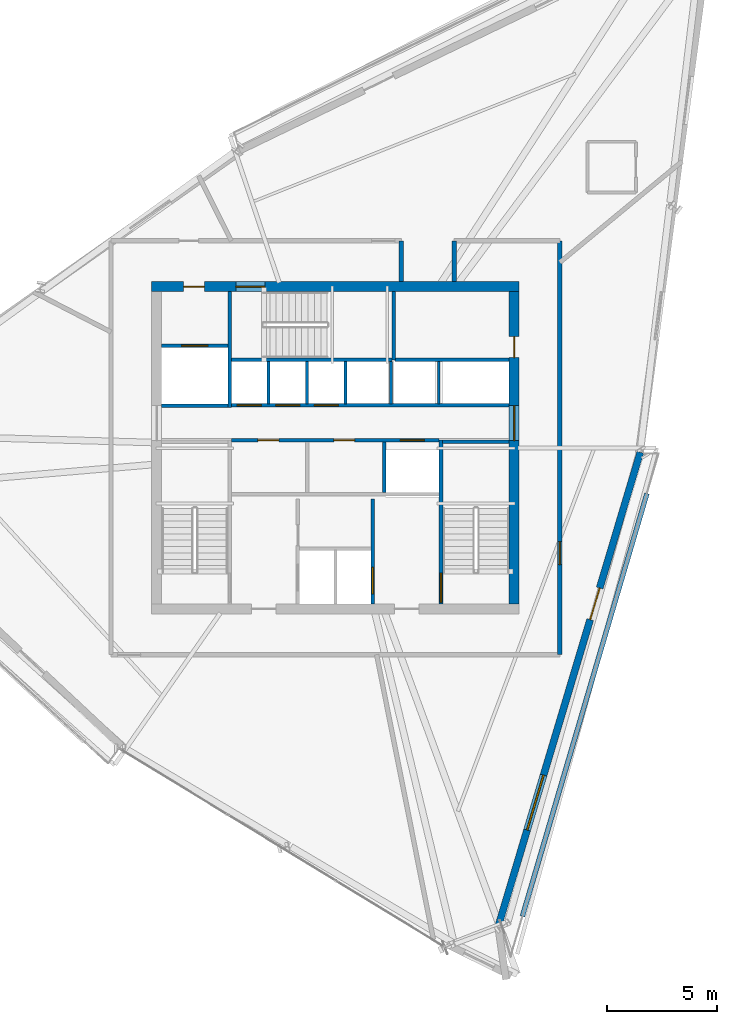
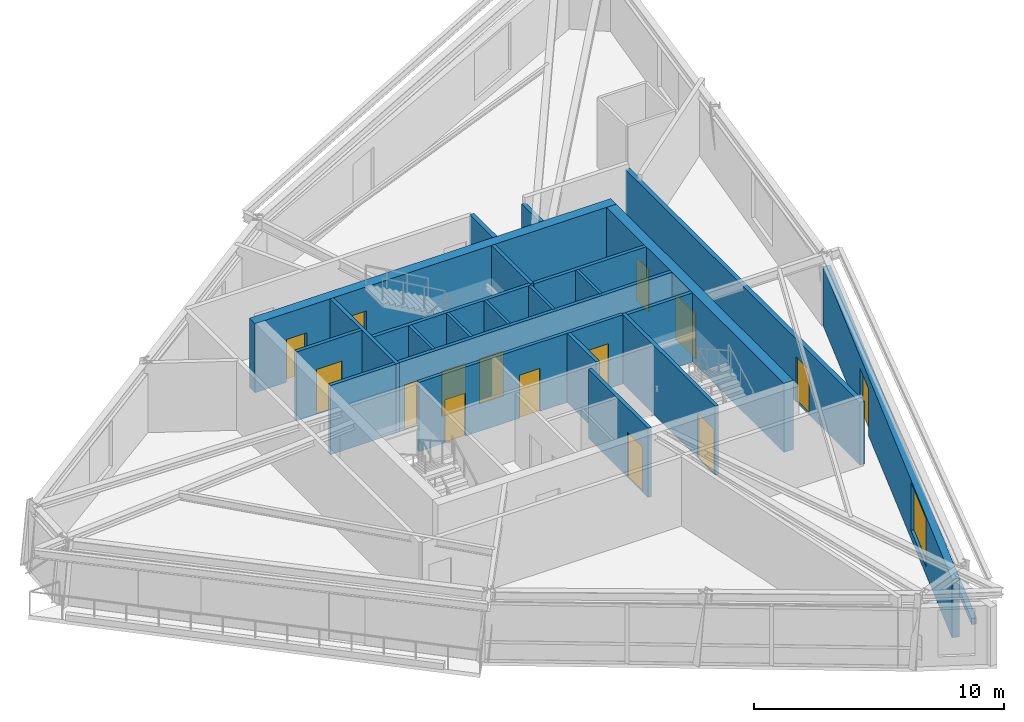
# One storey, part 10 of 14: 24 walls, 15 doors, 1 window, 16 openings.
"""IFC4 building model written with IfcOpenShell, lengths in metres."""

from ifc_helpers import new_model, si_unit, direction, frame, frame_2d, origin, place, context, subcontext, project, spatial, rectangle, extrude, source, transform, mapped, material, layer, layer_set, type_object, type_shapes, element, fill, save


model = new_model("IFC4")

# Units and contexts
model_context = context("Model", 3, precision=1e-05, world=origin(), true_north=direction((0.0, 1.0)))
body_context = subcontext(model_context, "Body", "Model", "MODEL_VIEW")
ifc_project = project(units=[si_unit("LENGTHUNIT", "METRE"), si_unit("AREAUNIT", "SQUARE_METRE"), si_unit("VOLUMEUNIT", "CUBIC_METRE"), si_unit("PLANEANGLEUNIT", "RADIAN"), si_unit("MASSUNIT", "GRAM", prefix="KILO")], contexts=[model_context])

# Site, building, storey
site_placement = place(None, origin())
site = spatial("IfcSite", under=ifc_project, at=site_placement, CompositionType="ELEMENT")
building_placement = place(site_placement, origin())
building = spatial("IfcBuilding", under=site, at=building_placement, Name="Olszyna Solenne Hotel", CompositionType="ELEMENT")
storey_placement = place(building_placement, frame((0.0, 0.0, 256.10009765625)))
storey = spatial("IfcBuildingStorey", under=building, at=storey_placement, Name="L68", CompositionType="ELEMENT", Elevation=256.10009765625)

# Wall, openings, doors
ifc_material_1 = material(Name="Concrete C50/60", Category="concrete")
ifc_layer_1 = layer(ifc_material_1, 0.449951171875, Name="Concrete C50/60")
ifc_layer_set_1 = layer_set([ifc_layer_1], Name="Concrete C50/60")
wall_type_1 = type_object("IfcWallType", Name="WL-CR450", PredefinedType="SHEAR", material=ifc_layer_set_1)
wall_1_placement = place(storey_placement, frame((29.64990234375, 33.925048828125, 0.0), z_axis=(0.0, 0.0, 1.0), x_axis=(1.0, 0.0, 0.0)))
wall_1 = element("IfcWall", 1, at=wall_1_placement, inside=storey, type_object=wall_type_1, Name="Core shear wall WL-CR450 CRW-L68-N", PredefinedType="SHEAR", context=body_context, shape_type="SweptSolid", body=[
    extrude(rectangle(XDim=16.7001953125, YDim=0.449951171875, at=frame_2d((8.35009765625, 0.0))), origin(), (0.0, 0.0, 1.0), 3.3798828125),
])
opening_1_placement = place(wall_1_placement, frame((1.449951171875, 0.0, 0.0)))
opening_1 = element("IfcOpeningElement", 2, at=opening_1_placement, cuts=wall_1, Name="Opening SVD-L68-01", PredefinedType="OPENING", context=body_context, shape_type="SweptSolid", body=[
    extrude(rectangle(XDim=0.949951171875, YDim=2.10009765625, at=frame_2d((0.47509765625, 1.050048828125))), frame((0.0, 0.23486328125, 0.0), z_axis=(0.0, -1.0, 0.0), x_axis=(1.0, 0.0, 0.0)), (0.0, 0.0, 1.0), 0.469970703125),
])
opening_2_placement = place(wall_1_placement, frame((3.830078125, 0.0, 0.0)))
opening_2 = element("IfcOpeningElement", 3, at=opening_2_placement, cuts=wall_1, Name="Opening STD-L68-03", PredefinedType="OPENING", context=body_context, shape_type="SweptSolid", body=[
    extrude(rectangle(XDim=1.320068359375, YDim=2.199951171875, at=frame_2d((0.66015625, 1.10009765625))), frame((0.0, 0.23486328125, 0.0), z_axis=(0.0, -1.0, 0.0), x_axis=(1.0, 0.0, 0.0)), (0.0, 0.0, 1.0), 0.469970703125),
])
ifc_material_2 = material(Name="Steel S355J2", Category="steel")
door_type_1 = type_object("IfcDoorType", Name="DR-ST1", OperationType="NOTDEFINED", PredefinedType="DOOR", material=ifc_material_2)
shared_shape_1 = source(origin(), body_context, "Body", "SweptSolid", [
    extrude(rectangle(XDim=1.320068359375, YDim=2.199951171875, at=frame_2d((0.66015625, 1.10009765625))), frame((0.0, 0.02490234375, 0.0), z_axis=(0.0, -1.0, 0.0), x_axis=(1.0, 0.0, 0.0)), (0.0, 0.0, 1.0), 0.050048828125),
])
type_shapes(door_type_1, [shared_shape_1])
door_1_placement = place(opening_2_placement, origin())
door_1 = element("IfcDoor", 4, at=door_1_placement, inside=storey, type_object=door_type_1, Name="Pressurised exit stair ST3 fire door STD-L68-03", OperationType="SINGLE_SWING_RIGHT", OverallHeight=2.199951171875, OverallWidth=1.320068359375, PredefinedType="DOOR", context=body_context, shape_type="MappedRepresentation", body=[
    mapped(shared_shape_1, transform((0.0, 0.0, 0.0), x_axis=(1.0, 0.0, 0.0), y_axis=(0.0, 1.0, 0.0), z_axis=(0.0, 0.0, 1.0), scale=1.0)),
])
fill(opening_2, door_1)
door_type_2 = type_object("IfcDoorType", Name="DR-SV1", OperationType="NOTDEFINED", PredefinedType="DOOR", material=ifc_material_2)
shared_shape_2 = source(origin(), body_context, "Body", "SweptSolid", [
    extrude(rectangle(XDim=0.949951171875, YDim=2.10009765625, at=frame_2d((0.47509765625, 1.050048828125))), frame((0.0, 0.02490234375, 0.0), z_axis=(0.0, -1.0, 0.0), x_axis=(1.0, 0.0, 0.0)), (0.0, 0.0, 1.0), 0.050048828125),
])
type_shapes(door_type_2, [shared_shape_2])
door_2_placement = place(opening_1_placement, origin())
door_2 = element("IfcDoor", 5, at=door_2_placement, inside=storey, type_object=door_type_2, Name="Service lift lobby fire door SVD-L68-01", OperationType="SINGLE_SWING_LEFT", OverallHeight=2.10009765625, OverallWidth=0.949951171875, PredefinedType="DOOR", context=body_context, shape_type="MappedRepresentation", body=[
    mapped(shared_shape_2, transform((0.0, 0.0, 0.0), x_axis=(1.0, 0.0, 0.0), y_axis=(0.0, 1.0, 0.0), z_axis=(0.0, 0.0, 1.0), scale=1.0)),
])
fill(opening_1, door_2)

wall_2_placement = place(storey_placement, frame((46.125, 33.699951171875, 0.0), z_axis=(0.0, 0.0, 1.0), x_axis=(0.0, -1.0, 0.0)))
wall_2 = element("IfcWall", 6, at=wall_2_placement, inside=storey, type_object=wall_type_1, Name="Core shear wall WL-CR450 CRW-L68-E", PredefinedType="SHEAR", context=body_context, shape_type="SweptSolid", body=[
    extrude(rectangle(XDim=14.199951171875, YDim=0.449951171875, at=frame_2d((7.10009765625, 0.0))), origin(), (0.0, 0.0, 1.0), 3.3798828125),
])
opening_3_placement = place(wall_2_placement, frame((5.179931640625, 0.0, 0.0)))
opening_3 = element("IfcOpeningElement", 7, at=opening_3_placement, cuts=wall_2, Name="Opening LHD-L68-E", PredefinedType="OPENING", context=body_context, shape_type="SweptSolid", body=[
    extrude(rectangle(XDim=1.60009765625, YDim=2.199951171875, at=frame_2d((0.800048828125, 1.10009765625))), frame((0.0, 0.23486328125, 0.0), z_axis=(0.0, -1.0, 0.0), x_axis=(1.0, 0.0, 0.0)), (0.0, 0.0, 1.0), 0.469970703125),
])
opening_4_placement = place(wall_2_placement, frame((2.050048828125, 0.0, 0.0)))
opening_4 = element("IfcOpeningElement", 8, at=opening_4_placement, cuts=wall_2, Name="Opening SVD-L68-BE", PredefinedType="OPENING", context=body_context, shape_type="SweptSolid", body=[
    extrude(rectangle(XDim=0.949951171875, YDim=2.10009765625, at=frame_2d((0.47509765625, 1.050048828125))), frame((0.0, 0.23486328125, 0.0), z_axis=(0.0, -1.0, 0.0), x_axis=(1.0, 0.0, 0.0)), (0.0, 0.0, 1.0), 0.469970703125),
])
door_3_placement = place(opening_4_placement, origin())
door_3 = element("IfcDoor", 9, at=door_3_placement, inside=storey, type_object=door_type_2, Name="Housekeeping core fire door SVD-L68-BE", OperationType="SINGLE_SWING_RIGHT", OverallHeight=2.10009765625, OverallWidth=0.949951171875, PredefinedType="DOOR", context=body_context, shape_type="MappedRepresentation", body=[
    mapped(shared_shape_2, transform((0.0, 0.0, 0.0), x_axis=(1.0, 0.0, 0.0), y_axis=(0.0, 1.0, 0.0), z_axis=(0.0, 0.0, 1.0), scale=1.0)),
])
fill(opening_4, door_3)
ifc_material_3 = material(Name="Timber hardwood", Category="wood")
door_type_3 = type_object("IfcDoorType", Name="DR-CR1", OperationType="DOUBLE_DOOR_SINGLE_SWING", PredefinedType="DOOR", material=ifc_material_3)
shared_shape_3 = source(origin(), body_context, "Body", "SweptSolid", [
    extrude(rectangle(XDim=1.60009765625, YDim=2.199951171875, at=frame_2d((0.800048828125, 1.10009765625))), frame((0.0, 0.02490234375, 0.0), z_axis=(0.0, -1.0, 0.0), x_axis=(1.0, 0.0, 0.0)), (0.0, 0.0, 1.0), 0.050048828125),
])
type_shapes(door_type_3, [shared_shape_3])
door_4_placement = place(opening_3_placement, origin())
door_4 = element("IfcDoor", 10, at=door_4_placement, inside=storey, type_object=door_type_3, Name="Passenger lift lobby East fire door LHD-L68-E", OperationType="DOUBLE_DOOR_SINGLE_SWING", OverallHeight=2.199951171875, OverallWidth=1.60009765625, PredefinedType="DOOR", context=body_context, shape_type="MappedRepresentation", body=[
    mapped(shared_shape_3, transform((0.0, 0.0, 0.0), x_axis=(1.0, 0.0, 0.0), y_axis=(0.0, 1.0, 0.0), z_axis=(0.0, 0.0, 1.0), scale=1.0)),
])
fill(opening_3, door_4)

# Wall, openings, door, window
ifc_material_4 = material(Name="Precast concrete C45/55", Category="concrete")
ifc_layer_2 = layer(ifc_material_4, 0.320068359375, Name="Precast concrete C45/55")
ifc_layer_set_2 = layer_set([ifc_layer_2], Name="Precast concrete C45/55")
wall_type_2 = type_object("IfcWallType", Name="WL-EX320", PredefinedType="SOLIDWALL", material=ifc_layer_set_2)
wall_3_placement = place(storey_placement, frame((51.860107421875, 26.393310546875, 0.0), z_axis=(0.0, 0.0, 1.0), x_axis=(-0.287077598684, -0.957907329721, 0.0)))
wall_3 = element("IfcWall", 11, at=wall_3_placement, inside=storey, type_object=wall_type_2, Name="Exterior terracotta-precast frame wall WL-EX320 EW-L68-01", PredefinedType="SOLIDWALL", context=body_context, shape_type="SweptSolid", body=[
    extrude(rectangle(XDim=22.458251953125, YDim=0.320068359375, at=frame_2d((11.22900390625, 0.0))), origin(), (0.0, 0.0, 1.0), 2.871826171875),
])
opening_5_placement = place(wall_3_placement, frame((6.43701171875, 0.0, 0.0)))
opening_5 = element("IfcOpeningElement", 12, at=opening_5_placement, cuts=wall_3, Name="Opening LDG-L68-3", PredefinedType="OPENING", context=body_context, shape_type="SweptSolid", body=[
    extrude(rectangle(XDim=1.5, YDim=2.300048828125, at=frame_2d((0.75, 1.14990234375))), frame((0.0, 0.169921875, 0.0), z_axis=(0.0, -1.0, 0.0), x_axis=(1.0, 0.0, 0.0)), (0.0, 0.0, 1.0), 0.340087890625),
])
opening_6_placement = place(wall_3_placement, frame((15.319091796875, 0.0, 0.402099609375)))
opening_6 = element("IfcOpeningElement", 13, at=opening_6_placement, cuts=wall_3, Name="Opening WN-L68-448", PredefinedType="OPENING", context=body_context, shape_type="SweptSolid", body=[
    extrude(rectangle(XDim=2.60009765625, YDim=2.35009765625, at=frame_2d((1.300048828125, 1.175048828125))), frame((0.0, 0.169921875, 0.0), z_axis=(0.0, -1.0, 0.0), x_axis=(1.0, 0.0, 0.0)), (0.0, 0.0, 1.0), 0.340087890625),
])
ifc_material_5 = material(Name="Anodised bronze aluminium", Category="aluminium")
door_type_4 = type_object("IfcDoorType", Name="DR-LG2", OperationType="DOUBLE_DOOR_SINGLE_SWING", PredefinedType="DOOR", material=ifc_material_5)
shared_shape_4 = source(origin(), body_context, "Body", "SweptSolid", [
    extrude(rectangle(XDim=1.5, YDim=2.300048828125, at=frame_2d((0.75, 1.14990234375))), frame((0.0, 0.02490234375, 0.0), z_axis=(0.0, -1.0, 0.0), x_axis=(1.0, 0.0, 0.0)), (0.0, 0.0, 1.0), 0.050048828125),
])
type_shapes(door_type_4, [shared_shape_4])
door_5_placement = place(opening_5_placement, origin())
door_5 = element("IfcDoor", 14, at=door_5_placement, inside=storey, type_object=door_type_4, Name="Exterior loggia balcony door DR-LG2 LDG-L68-3", OperationType="DOUBLE_DOOR_SINGLE_SWING", OverallHeight=2.300048828125, OverallWidth=1.5, PredefinedType="DOOR", context=body_context, shape_type="MappedRepresentation", body=[
    mapped(shared_shape_4, transform((0.0, 0.0, 0.0), x_axis=(1.0, 0.0, 0.0), y_axis=(0.0, 1.0, 0.0), z_axis=(0.0, 0.0, 1.0), scale=1.0)),
])
fill(opening_5, door_5)
ifc_material_6 = material(Name="Low-E triple glazing", Category="glass")
window_type = type_object("IfcWindowType", Name="WN-ST1", PartitioningType="SINGLE_PANEL", PredefinedType="WINDOW", material=ifc_material_6)
shared_shape_5 = source(origin(), body_context, "Body", "SweptSolid", [
    extrude(rectangle(XDim=2.60009765625, YDim=2.35009765625, at=frame_2d((1.300048828125, 1.175048828125))), frame((0.0, 0.030029296875, 0.0), z_axis=(0.0, -1.0, 0.0), x_axis=(1.0, 0.0, 0.0)), (0.0, 0.0, 1.0), 0.06005859375),
])
type_shapes(window_type, [shared_shape_5])
window_placement = place(opening_6_placement, origin())
window = element("IfcWindow", 15, at=window_placement, inside=storey, type_object=window_type, Name="Loggia room window WN-ST1 WN-L68-448", OverallHeight=2.35009765625, OverallWidth=2.60009765625, PartitioningType="SINGLE_PANEL", PredefinedType="WINDOW", context=body_context, shape_type="MappedRepresentation", body=[
    mapped(shared_shape_5, transform((0.0, 0.0, 0.0), x_axis=(1.0, 0.0, 0.0), y_axis=(0.0, 1.0, 0.0), z_axis=(0.0, 0.0, 1.0), scale=1.0)),
])
fill(opening_6, window)

# Walls
ifc_layer_3 = layer(ifc_material_4, 0.219970703125, Name="Precast concrete C45/55")
ifc_layer_set_3 = layer_set([ifc_layer_3], Name="Precast concrete C45/55")
wall_type_3 = type_object("IfcWallType", Name="WL-PR220", PredefinedType="PARAPET", material=ifc_layer_set_3)
wall_4_placement = place(storey_placement, frame((46.50048828125, 5.302490234375, 0.0), z_axis=(0.0, 0.0, 1.0), x_axis=(0.282616163499, 0.959233081232, 0.0)))
element("IfcWall", 16, at=wall_4_placement, inside=storey, type_object=wall_type_3, Name="Loggia balcony precast kerb PR-L68-LG3", PredefinedType="PARAPET", context=body_context, shape_type="SweptSolid", body=[
    extrude(rectangle(XDim=20.0380859375, YDim=0.219970703125, at=frame_2d((10.01904296875, 0.0))), origin(), (0.0, 0.0, 1.0), 0.2998046875),
])
ifc_material_7 = material(Name="Acoustic gypsum partition", Category="gypsum")
ifc_layer_4 = layer(ifc_material_7, 0.125, Name="Acoustic gypsum partition")
ifc_layer_set_4 = layer_set([ifc_layer_4], Name="Acoustic gypsum partition")
wall_type_4 = type_object("IfcWallType", Name="WL-PT125", PredefinedType="PARTITIONING", material=ifc_layer_set_4)
for number, where, z_axis, x_axis, name in (
    (17, (34.965087890625, 28.60009765625, 0.0), (0.0, 0.0, 1.0), (0.0, 1.0, 0.0), "Core shaft compartment wall CW-L68-DIVN349"),
    (18, (36.715087890625, 28.60009765625, 0.0), (0.0, 0.0, 1.0), (0.0, 1.0, 0.0), "Core shaft compartment wall CW-L68-DIVN367"),
    (19, (38.465087890625, 28.60009765625, 0.0), (0.0, 0.0, 1.0), (0.0, 1.0, 0.0), "Core shaft compartment wall CW-L68-DIVN384"),
    (20, (40.52490234375, 28.60009765625, 0.0), (0.0, 0.0, 1.0), (0.0, 1.0, 0.0), "Core shaft compartment wall CW-L68-DIVEX405"),
    (21, (42.699951171875, 28.60009765625, 0.0), (0.0, 0.0, 1.0), (0.0, 1.0, 0.0), "Core shaft compartment wall CW-L68-DIVEX427"),
):
    element("IfcWall", number, at=place(storey_placement, frame(where, z_axis=z_axis, x_axis=x_axis)), inside=storey, type_object=wall_type_4, Name=name, PredefinedType="PARTITIONING", context=body_context, shape_type="SweptSolid", body=[
        extrude(rectangle(XDim=1.919921875, YDim=0.125, at=frame_2d((0.9599609375, 0.0))), origin(), (0.0, 0.0, 1.0), 3.3798828125),
    ])

# Wall, opening, door
ifc_layer_5 = layer(ifc_material_7, 0.159912109375, Name="Acoustic gypsum partition")
ifc_layer_set_5 = layer_set([ifc_layer_5], Name="Acoustic gypsum partition")
wall_type_5 = type_object("IfcWallType", Name="WL-PT160", PredefinedType="PARTITIONING", material=ifc_layer_set_5)
wall_5_placement = place(storey_placement, frame((42.800048828125, 26.9599609375, 0.0), z_axis=(0.0, 0.0, 1.0), x_axis=(0.0, -1.0, 0.0)))
wall_5 = element("IfcWall", 22, at=wall_5_placement, inside=storey, type_object=wall_type_5, Name="Core shaft compartment wall CW-L68-ST2W", PredefinedType="PARTITIONING", context=body_context, shape_type="SweptSolid", body=[
    extrude(rectangle(XDim=7.4599609375, YDim=0.159912109375, at=frame_2d((3.72998046875, 0.0))), origin(), (0.0, 0.0, 1.0), 3.3798828125),
])
opening_7_placement = place(wall_5_placement, frame((6.06005859375, 0.0, 0.0)))
opening_7 = element("IfcOpeningElement", 23, at=opening_7_placement, cuts=wall_5, Name="Opening STD-L68-02", PredefinedType="OPENING", context=body_context, shape_type="SweptSolid", body=[
    extrude(rectangle(XDim=1.320068359375, YDim=2.199951171875, at=frame_2d((0.66015625, 1.10009765625))), frame((0.0, 0.08984375, 0.0), z_axis=(0.0, -1.0, 0.0), x_axis=(1.0, 0.0, 0.0)), (0.0, 0.0, 1.0), 0.179931640625),
])
door_6_placement = place(opening_7_placement, origin())
door_6 = element("IfcDoor", 24, at=door_6_placement, inside=storey, type_object=door_type_1, Name="Pressurised exit stair ST2 fire door STD-L68-02", OperationType="SINGLE_SWING_RIGHT", OverallHeight=2.199951171875, OverallWidth=1.320068359375, PredefinedType="DOOR", context=body_context, shape_type="MappedRepresentation", body=[
    mapped(shared_shape_1, transform((0.0, 0.0, 0.0), x_axis=(1.0, 0.0, 0.0), y_axis=(0.0, 1.0, 0.0), z_axis=(0.0, 0.0, 1.0), scale=1.0)),
])
fill(opening_7, door_6)

# Walls
wall_6_placement = place(storey_placement, frame((42.8798828125, 26.8798828125, 0.0), z_axis=(0.0, 0.0, 1.0), x_axis=(1.0, 0.0, 0.0)))
element("IfcWall", 25, at=wall_6_placement, inside=storey, type_object=wall_type_5, Name="Core shaft compartment wall CW-L68-ST2N", PredefinedType="PARTITIONING", context=body_context, shape_type="SweptSolid", body=[
    extrude(rectangle(XDim=3.02001953125, YDim=0.159912109375, at=frame_2d((1.510009765625, 0.0))), origin(), (0.0, 0.0, 1.0), 3.3798828125),
])
wall_7_placement = place(storey_placement, frame((33.280029296875, 30.60009765625, 0.0), z_axis=(0.0, 0.0, 1.0), x_axis=(1.0, 0.0, 0.0)))
element("IfcWall", 26, at=wall_7_placement, inside=storey, type_object=wall_type_5, Name="Core shaft compartment wall CW-L68-ST3S", PredefinedType="PARTITIONING", context=body_context, shape_type="SweptSolid", body=[
    extrude(rectangle(XDim=7.300048828125, YDim=0.159912109375, at=frame_2d((3.64990234375, 0.0))), origin(), (0.0, 0.0, 1.0), 3.3798828125),
])
wall_8_placement = place(storey_placement, frame((40.659912109375, 30.60009765625, 0.0), z_axis=(0.0, 0.0, 1.0), x_axis=(0.0, 1.0, 0.0)))
element("IfcWall", 27, at=wall_8_placement, inside=storey, type_object=wall_type_5, Name="Core shaft compartment wall CW-L68-ST3E", PredefinedType="PARTITIONING", context=body_context, shape_type="SweptSolid", body=[
    extrude(rectangle(XDim=3.099853515625, YDim=0.159912109375, at=frame_2d((1.5498046875, 0.0))), origin(), (0.0, 0.0, 1.0), 3.3798828125),
])

# Wall, opening, door
wall_9_placement = place(storey_placement, frame((39.699951171875, 24.280029296875, 0.0), z_axis=(0.0, 0.0, 1.0), x_axis=(0.0, -1.0, 0.0)))
wall_9 = element("IfcWall", 28, at=wall_9_placement, inside=storey, type_object=wall_type_5, Name="Core shaft compartment wall CW-L68-FF2E", PredefinedType="PARTITIONING", context=body_context, shape_type="SweptSolid", body=[
    extrude(rectangle(XDim=4.780029296875, YDim=0.159912109375, at=frame_2d((2.39013671875, 0.0))), origin(), (0.0, 0.0, 1.0), 3.3798828125),
])
opening_8_placement = place(wall_9_placement, frame((3.1201171875, 0.0, 0.0)))
opening_8 = element("IfcOpeningElement", 29, at=opening_8_placement, cuts=wall_9, Name="Opening LD-L68-FF2", PredefinedType="OPENING", context=body_context, shape_type="SweptSolid", body=[
    extrude(rectangle(XDim=1.199951171875, YDim=2.199951171875, at=frame_2d((0.60009765625, 1.10009765625))), frame((0.0, 0.08984375, 0.0), z_axis=(0.0, -1.0, 0.0), x_axis=(1.0, 0.0, 0.0)), (0.0, 0.0, 1.0), 0.179931640625),
])
door_type_5 = type_object("IfcDoorType", Name="LD-FF1", OperationType="DOUBLE_DOOR_SLIDING", PredefinedType="DOOR", material=ifc_material_2)
shared_shape_6 = source(origin(), body_context, "Body", "SweptSolid", [
    extrude(rectangle(XDim=1.199951171875, YDim=2.199951171875, at=frame_2d((0.60009765625, 1.10009765625))), frame((0.0, 0.02490234375, 0.0), z_axis=(0.0, -1.0, 0.0), x_axis=(1.0, 0.0, 0.0)), (0.0, 0.0, 1.0), 0.050048828125),
])
type_shapes(door_type_5, [shared_shape_6])
door_7_placement = place(opening_8_placement, origin())
door_7 = element("IfcDoor", 30, at=door_7_placement, inside=storey, type_object=door_type_5, Name="Firefighters lift FF2 sliding landing door LD-L68-FF2", OperationType="DOUBLE_DOOR_SLIDING", OverallHeight=2.199951171875, OverallWidth=1.199951171875, PredefinedType="DOOR", context=body_context, shape_type="MappedRepresentation", body=[
    mapped(shared_shape_6, transform((0.0, 0.0, 0.0), x_axis=(1.0, 0.0, 0.0), y_axis=(0.0, 1.0, 0.0), z_axis=(0.0, 0.0, 1.0), scale=1.0)),
])
fill(opening_8, door_7)

# Walls
wall_10_placement = place(storey_placement, frame((30.10009765625, 28.52001953125, 0.0), z_axis=(0.0, 0.0, 1.0), x_axis=(1.0, 0.0, 0.0)))
element("IfcWall", 31, at=wall_10_placement, inside=storey, type_object=wall_type_5, Name="Core shaft compartment wall CW-L68-SV1S", PredefinedType="PARTITIONING", context=body_context, shape_type="SweptSolid", body=[
    extrude(rectangle(XDim=3.02001953125, YDim=0.159912109375, at=frame_2d((1.510009765625, 0.0))), origin(), (0.0, 0.0, 1.0), 3.3798828125),
])
wall_11_placement = place(storey_placement, frame((33.199951171875, 28.43994140625, 0.0), z_axis=(0.0, 0.0, 1.0), x_axis=(0.0, 1.0, 0.0)))
element("IfcWall", 32, at=wall_11_placement, inside=storey, type_object=wall_type_5, Name="Core shaft compartment wall CW-L68-SV1E", PredefinedType="PARTITIONING", context=body_context, shape_type="SweptSolid", body=[
    extrude(rectangle(XDim=5.260009765625, YDim=0.159912109375, at=frame_2d((2.6298828125, 0.0))), origin(), (0.0, 0.0, 1.0), 3.3798828125),
])

# Wall, opening, door
wall_12_placement = place(storey_placement, frame((30.10009765625, 31.239990234375, 0.0), z_axis=(0.0, 0.0, 1.0), x_axis=(1.0, 0.0, 0.0)))
wall_12 = element("IfcWall", 33, at=wall_12_placement, inside=storey, type_object=wall_type_5, Name="Core shaft compartment wall CW-L68-SV1N", PredefinedType="PARTITIONING", context=body_context, shape_type="SweptSolid", body=[
    extrude(rectangle(XDim=3.02001953125, YDim=0.159912109375, at=frame_2d((1.510009765625, 0.0))), origin(), (0.0, 0.0, 1.0), 3.3798828125),
])
opening_9_placement = place(wall_12_placement, frame((0.909912109375, 0.0, 0.0)))
opening_9 = element("IfcOpeningElement", 34, at=opening_9_placement, cuts=wall_12, Name="Opening LD-L68-SV1", PredefinedType="OPENING", context=body_context, shape_type="SweptSolid", body=[
    extrude(rectangle(XDim=1.199951171875, YDim=2.199951171875, at=frame_2d((0.60009765625, 1.10009765625))), frame((0.0, 0.08984375, 0.0), z_axis=(0.0, -1.0, 0.0), x_axis=(1.0, 0.0, 0.0)), (0.0, 0.0, 1.0), 0.179931640625),
])
door_8_placement = place(opening_9_placement, origin())
door_8 = element("IfcDoor", 35, at=door_8_placement, inside=storey, type_object=door_type_5, Name="Service lift SV1 sliding landing door LD-L68-SV1", OperationType="DOUBLE_DOOR_SLIDING", OverallHeight=2.199951171875, OverallWidth=1.199951171875, PredefinedType="DOOR", context=body_context, shape_type="MappedRepresentation", body=[
    mapped(shared_shape_6, transform((0.0, 0.0, 0.0), x_axis=(1.0, 0.0, 0.0), y_axis=(0.0, 1.0, 0.0), z_axis=(0.0, 0.0, 1.0), scale=1.0)),
])
fill(opening_9, door_8)

# Wall, openings, doors
wall_13_placement = place(storey_placement, frame((33.280029296875, 26.949951171875, 0.0), z_axis=(0.0, 0.0, 1.0), x_axis=(1.0, 0.0, 0.0)))
wall_13 = element("IfcWall", 36, at=wall_13_placement, inside=storey, type_object=wall_type_5, Name="Core shaft compartment wall CW-L68-LRS", PredefinedType="PARTITIONING", context=body_context, shape_type="SweptSolid", body=[
    extrude(rectangle(XDim=9.43994140625, YDim=0.159912109375, at=frame_2d((4.719970703125, 0.0))), origin(), (0.0, 0.0, 1.0), 3.3798828125),
])
opening_10_placement = place(wall_13_placement, frame((1.199951171875, 0.0, 0.0)))
opening_10 = element("IfcOpeningElement", 37, at=opening_10_placement, cuts=wall_13, Name="Opening SVD-L68-L71", PredefinedType="OPENING", context=body_context, shape_type="SweptSolid", body=[
    extrude(rectangle(XDim=0.949951171875, YDim=2.10009765625, at=frame_2d((0.47509765625, 1.050048828125))), frame((0.0, 0.08984375, 0.0), z_axis=(0.0, -1.0, 0.0), x_axis=(1.0, 0.0, 0.0)), (0.0, 0.0, 1.0), 0.179931640625),
])
opening_11_placement = place(wall_13_placement, frame((4.64990234375, 0.0, 0.0)))
opening_11 = element("IfcOpeningElement", 38, at=opening_11_placement, cuts=wall_13, Name="Opening SVD-L68-L72", PredefinedType="OPENING", context=body_context, shape_type="SweptSolid", body=[
    extrude(rectangle(XDim=0.949951171875, YDim=2.10009765625, at=frame_2d((0.47509765625, 1.050048828125))), frame((0.0, 0.08984375, 0.0), z_axis=(0.0, -1.0, 0.0), x_axis=(1.0, 0.0, 0.0)), (0.0, 0.0, 1.0), 0.179931640625),
])
opening_12_placement = place(wall_13_placement, frame((7.669921875, 0.0, 0.0)))
opening_12 = element("IfcOpeningElement", 39, at=opening_12_placement, cuts=wall_13, Name="Opening LD-L68-PL5", PredefinedType="OPENING", context=body_context, shape_type="SweptSolid", body=[
    extrude(rectangle(XDim=1.10009765625, YDim=2.199951171875, at=frame_2d((0.550048828125, 1.10009765625))), frame((0.0, 0.08984375, 0.0), z_axis=(0.0, -1.0, 0.0), x_axis=(1.0, 0.0, 0.0)), (0.0, 0.0, 1.0), 0.179931640625),
])
door_9_placement = place(opening_10_placement, origin())
door_9 = element("IfcDoor", 40, at=door_9_placement, inside=storey, type_object=door_type_2, Name="Recaptured core room fire door SVD-L68-L71", OperationType="SINGLE_SWING_LEFT", OverallHeight=2.10009765625, OverallWidth=0.949951171875, PredefinedType="DOOR", context=body_context, shape_type="MappedRepresentation", body=[
    mapped(shared_shape_2, transform((0.0, 0.0, 0.0), x_axis=(1.0, 0.0, 0.0), y_axis=(0.0, 1.0, 0.0), z_axis=(0.0, 0.0, 1.0), scale=1.0)),
])
fill(opening_10, door_9)
door_10_placement = place(opening_11_placement, origin())
door_10 = element("IfcDoor", 41, at=door_10_placement, inside=storey, type_object=door_type_2, Name="Recaptured core room fire door SVD-L68-L72", OperationType="SINGLE_SWING_RIGHT", OverallHeight=2.10009765625, OverallWidth=0.949951171875, PredefinedType="DOOR", context=body_context, shape_type="MappedRepresentation", body=[
    mapped(shared_shape_2, transform((0.0, 0.0, 0.0), x_axis=(1.0, 0.0, 0.0), y_axis=(0.0, 1.0, 0.0), z_axis=(0.0, 0.0, 1.0), scale=1.0)),
])
fill(opening_11, door_10)
door_type_6 = type_object("IfcDoorType", Name="LD-P1", OperationType="DOUBLE_DOOR_SLIDING", PredefinedType="DOOR", material=ifc_material_2)
shared_shape_7 = source(origin(), body_context, "Body", "SweptSolid", [
    extrude(rectangle(XDim=1.10009765625, YDim=2.199951171875, at=frame_2d((0.550048828125, 1.10009765625))), frame((0.0, 0.02490234375, 0.0), z_axis=(0.0, -1.0, 0.0), x_axis=(1.0, 0.0, 0.0)), (0.0, 0.0, 1.0), 0.050048828125),
])
type_shapes(door_type_6, [shared_shape_7])
door_11_placement = place(opening_12_placement, origin())
door_11 = element("IfcDoor", 42, at=door_11_placement, inside=storey, type_object=door_type_6, Name="Passenger lift PL5 sliding landing door LD-L68-PL5", OperationType="DOUBLE_DOOR_SLIDING", OverallHeight=2.199951171875, OverallWidth=1.10009765625, PredefinedType="DOOR", context=body_context, shape_type="MappedRepresentation", body=[
    mapped(shared_shape_7, transform((0.0, 0.0, 0.0), x_axis=(1.0, 0.0, 0.0), y_axis=(0.0, 1.0, 0.0), z_axis=(0.0, 0.0, 1.0), scale=1.0)),
])
fill(opening_12, door_11)

# Wall
wall_14_placement = place(storey_placement, frame((40.215087890625, 24.56005859375, 0.0), z_axis=(0.0, 0.0, 1.0), x_axis=(0.0, 1.0, 0.0)))
element("IfcWall", 43, at=wall_14_placement, inside=storey, type_object=wall_type_5, Name="Core shaft compartment wall CW-L68-LV7DIV2", PredefinedType="PARTITIONING", context=body_context, shape_type="SweptSolid", body=[
    extrude(rectangle(XDim=2.31005859375, YDim=0.159912109375, at=frame_2d((1.155029296875, 0.0))), origin(), (0.0, 0.0, 1.0), 3.3798828125),
])

# Wall, openings, doors
wall_15_placement = place(storey_placement, frame((33.280029296875, 28.5400390625, 0.0), z_axis=(0.0, 0.0, 1.0), x_axis=(1.0, 0.0, 0.0)))
wall_15 = element("IfcWall", 44, at=wall_15_placement, inside=storey, type_object=wall_type_5, Name="Core shaft compartment wall CW-L68-LRN", PredefinedType="PARTITIONING", context=body_context, shape_type="SweptSolid", body=[
    extrude(rectangle(XDim=12.619873046875, YDim=0.159912109375, at=frame_2d((6.31005859375, 0.0))), origin(), (0.0, 0.0, 1.0), 3.3798828125),
])
opening_13_placement = place(wall_15_placement, frame((0.260009765625, 0.0, 0.0)))
opening_13 = element("IfcOpeningElement", 45, at=opening_13_placement, cuts=wall_15, Name="Opening LD-L68-PL6", PredefinedType="OPENING", context=body_context, shape_type="SweptSolid", body=[
    extrude(rectangle(XDim=1.10009765625, YDim=2.199951171875, at=frame_2d((0.550048828125, 1.10009765625))), frame((0.0, 0.08984375, 0.0), z_axis=(0.0, -1.0, 0.0), x_axis=(1.0, 0.0, 0.0)), (0.0, 0.0, 1.0), 0.179931640625),
])
opening_14_placement = place(wall_15_placement, frame((2.010009765625, 0.0, 0.0)))
opening_14 = element("IfcOpeningElement", 46, at=opening_14_placement, cuts=wall_15, Name="Opening LD-L68-PL7", PredefinedType="OPENING", context=body_context, shape_type="SweptSolid", body=[
    extrude(rectangle(XDim=1.10009765625, YDim=2.199951171875, at=frame_2d((0.550048828125, 1.10009765625))), frame((0.0, 0.08984375, 0.0), z_axis=(0.0, -1.0, 0.0), x_axis=(1.0, 0.0, 0.0)), (0.0, 0.0, 1.0), 0.179931640625),
])
opening_15_placement = place(wall_15_placement, frame((3.760009765625, 0.0, 0.0)))
opening_15 = element("IfcOpeningElement", 47, at=opening_15_placement, cuts=wall_15, Name="Opening LD-L68-PL8", PredefinedType="OPENING", context=body_context, shape_type="SweptSolid", body=[
    extrude(rectangle(XDim=1.10009765625, YDim=2.199951171875, at=frame_2d((0.550048828125, 1.10009765625))), frame((0.0, 0.08984375, 0.0), z_axis=(0.0, -1.0, 0.0), x_axis=(1.0, 0.0, 0.0)), (0.0, 0.0, 1.0), 0.179931640625),
])
door_12_placement = place(opening_13_placement, origin())
door_12 = element("IfcDoor", 48, at=door_12_placement, inside=storey, type_object=door_type_6, Name="Passenger lift PL6 sliding landing door LD-L68-PL6", OperationType="DOUBLE_DOOR_SLIDING", OverallHeight=2.199951171875, OverallWidth=1.10009765625, PredefinedType="DOOR", context=body_context, shape_type="MappedRepresentation", body=[
    mapped(shared_shape_7, transform((0.0, 0.0, 0.0), x_axis=(1.0, 0.0, 0.0), y_axis=(0.0, 1.0, 0.0), z_axis=(0.0, 0.0, 1.0), scale=1.0)),
])
fill(opening_13, door_12)
door_13_placement = place(opening_14_placement, origin())
door_13 = element("IfcDoor", 49, at=door_13_placement, inside=storey, type_object=door_type_6, Name="Passenger lift PL7 sliding landing door LD-L68-PL7", OperationType="DOUBLE_DOOR_SLIDING", OverallHeight=2.199951171875, OverallWidth=1.10009765625, PredefinedType="DOOR", context=body_context, shape_type="MappedRepresentation", body=[
    mapped(shared_shape_7, transform((0.0, 0.0, 0.0), x_axis=(1.0, 0.0, 0.0), y_axis=(0.0, 1.0, 0.0), z_axis=(0.0, 0.0, 1.0), scale=1.0)),
])
fill(opening_14, door_13)
door_14_placement = place(opening_15_placement, origin())
door_14 = element("IfcDoor", 50, at=door_14_placement, inside=storey, type_object=door_type_6, Name="Passenger lift PL8 sliding landing door LD-L68-PL8", OperationType="DOUBLE_DOOR_SLIDING", OverallHeight=2.199951171875, OverallWidth=1.10009765625, PredefinedType="DOOR", context=body_context, shape_type="MappedRepresentation", body=[
    mapped(shared_shape_7, transform((0.0, 0.0, 0.0), x_axis=(1.0, 0.0, 0.0), y_axis=(0.0, 1.0, 0.0), z_axis=(0.0, 0.0, 1.0), scale=1.0)),
])
fill(opening_15, door_14)

# Walls
wall_16_placement = place(storey_placement, frame((40.719970703125, 30.60009765625, 0.0), z_axis=(0.0, 0.0, 1.0), x_axis=(1.0, 0.0, 0.0)))
element("IfcWall", 51, at=wall_16_placement, inside=storey, type_object=wall_type_5, Name="Core shaft compartment wall CW-L68-LRNTOP", PredefinedType="PARTITIONING", context=body_context, shape_type="SweptSolid", body=[
    extrude(rectangle(XDim=5.179931640625, YDim=0.159912109375, at=frame_2d((2.58984375, 0.0))), origin(), (0.0, 0.0, 1.0), 3.3798828125),
])
ifc_layer_6 = layer(ifc_material_7, 0.199951171875, Name="Acoustic gypsum partition")
ifc_layer_set_6 = layer_set([ifc_layer_6], Name="Acoustic gypsum partition")
wall_type_6 = type_object("IfcWallType", Name="WL-PT200", PredefinedType="PARTITIONING", material=ifc_layer_set_6)
wall_17_placement = place(storey_placement, frame((41.0, 34.14990234375, 0.0), z_axis=(0.0, 0.0, 1.0), x_axis=(0.0, 1.0, 0.0)))
element("IfcWall", 52, at=wall_17_placement, inside=storey, type_object=wall_type_6, Name="Interior acoustic partition WL-PT200 PW-L68-3800", PredefinedType="PARTITIONING", context=body_context, shape_type="SweptSolid", body=[
    extrude(rectangle(XDim=1.85009765625, YDim=0.199951171875, at=frame_2d((0.925048828125, 0.0))), origin(), (0.0, 0.0, 1.0), 3.3798828125),
])
wall_18_placement = place(storey_placement, frame((43.39990234375, 34.14990234375, 0.0), z_axis=(0.0, 0.0, 1.0), x_axis=(0.0, 1.0, 0.0)))
element("IfcWall", 53, at=wall_18_placement, inside=storey, type_object=wall_type_6, Name="Interior acoustic partition WL-PT200 PW-L68-3802", PredefinedType="PARTITIONING", context=body_context, shape_type="SweptSolid", body=[
    extrude(rectangle(XDim=1.85009765625, YDim=0.199951171875, at=frame_2d((0.925048828125, 0.0))), origin(), (0.0, 0.0, 1.0), 3.054931640625),
])

# Wall, opening, door
wall_19_placement = place(storey_placement, frame((48.199951171875, 17.199951171875, 0.0), z_axis=(0.0, 0.0, 1.0), x_axis=(0.0, 1.0, 0.0)))
wall_19 = element("IfcWall", 54, at=wall_19_placement, inside=storey, type_object=wall_type_6, Name="Interior acoustic partition WL-PT200 PW-L68-3803", PredefinedType="PARTITIONING", context=body_context, shape_type="SweptSolid", body=[
    extrude(rectangle(XDim=18.800048828125, YDim=0.199951171875, at=frame_2d((9.39990234375, 0.0))), origin(), (0.0, 0.0, 1.0), 3.06494140625),
])
opening_16_placement = place(wall_19_placement, frame((4.0849609375, 0.0, 0.0)))
opening_16 = element("IfcOpeningElement", 55, at=opening_16_placement, cuts=wall_19, Name="Opening DR-L68-0930", PredefinedType="OPENING", context=body_context, shape_type="SweptSolid", body=[
    extrude(rectangle(XDim=1.050048828125, YDim=2.199951171875, at=frame_2d((0.52490234375, 1.10009765625))), frame((0.0, 0.10986328125, 0.0), z_axis=(0.0, -1.0, 0.0), x_axis=(1.0, 0.0, 0.0)), (0.0, 0.0, 1.0), 0.219970703125),
])
door_type_7 = type_object("IfcDoorType", Name="DR-RM2", OperationType="NOTDEFINED", PredefinedType="DOOR", material=ifc_material_3)
shared_shape_8 = source(origin(), body_context, "Body", "SweptSolid", [
    extrude(rectangle(XDim=1.050048828125, YDim=2.199951171875, at=frame_2d((0.52490234375, 1.10009765625))), frame((0.0, 0.02490234375, 0.0), z_axis=(0.0, -1.0, 0.0), x_axis=(1.0, 0.0, 0.0)), (0.0, 0.0, 1.0), 0.050048828125),
])
type_shapes(door_type_7, [shared_shape_8])
door_15_placement = place(opening_16_placement, origin())
door_15 = element("IfcDoor", 56, at=door_15_placement, inside=storey, type_object=door_type_7, Name="Conference Boardroom Entrance Door DR-L68-0930", OperationType="SINGLE_SWING_RIGHT", OverallHeight=2.199951171875, OverallWidth=1.050048828125, PredefinedType="DOOR", context=body_context, shape_type="MappedRepresentation", body=[
    mapped(shared_shape_8, transform((0.0, 0.0, 0.0), x_axis=(1.0, 0.0, 0.0), y_axis=(0.0, 1.0, 0.0), z_axis=(0.0, 0.0, 1.0), scale=1.0)),
])
fill(opening_16, door_15)

save(model, "model.ifc")
